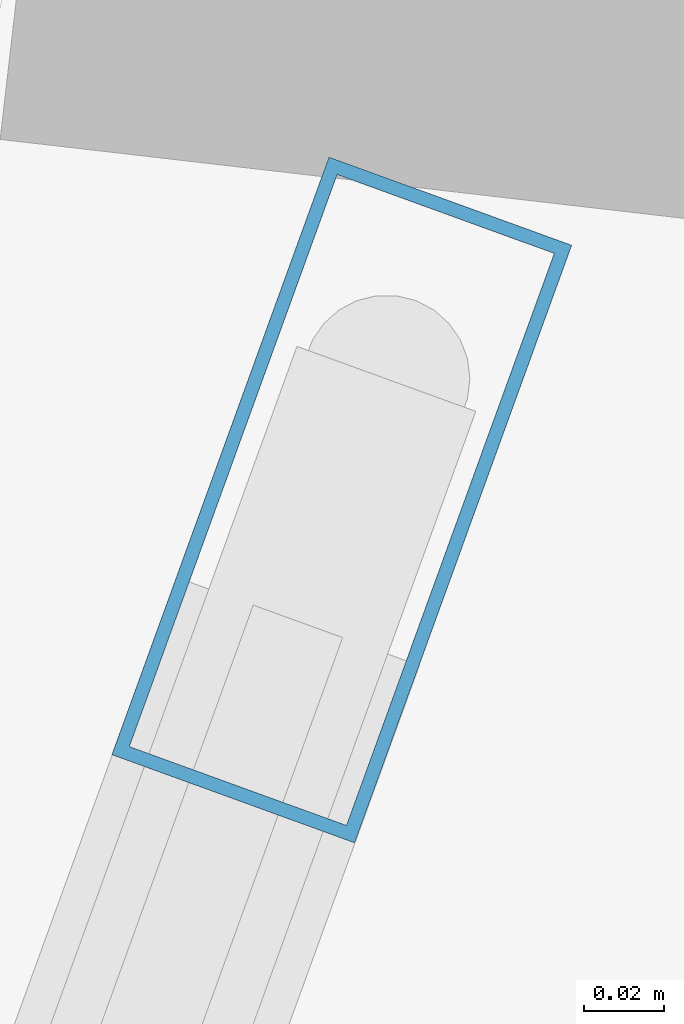
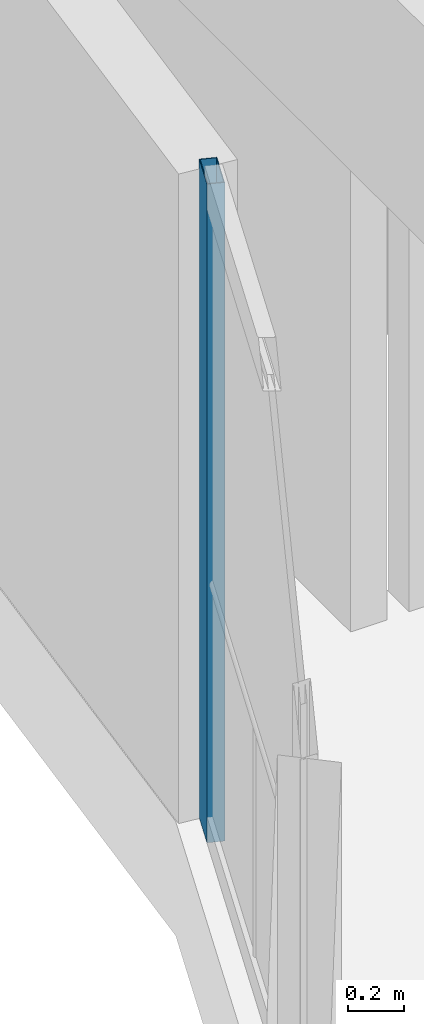
# One storey, part 5 of 20: 1 member, 1 element without a shape of its own.
"""IFC4 building model written with IfcOpenShell, lengths in metres."""

from ifc_helpers import new_model, si_unit, direction, frame, origin, origin_2d, place, context, subcontext, project, spatial, hollow_rectangle, extrude, material, layer, layer_set, material_profile, profile_set, type_object, element, aggregate, save


model = new_model("IFC4")

# Units and contexts
model_context = context("Model", 3, precision=1e-05, world=origin(), true_north=direction((0.0, 1.0)))
body_context = subcontext(model_context, "Body", "Model", "MODEL_VIEW")
ifc_project = project(units=[si_unit("LENGTHUNIT", "METRE"), si_unit("AREAUNIT", "SQUARE_METRE"), si_unit("VOLUMEUNIT", "CUBIC_METRE"), si_unit("PLANEANGLEUNIT", "RADIAN"), si_unit("MASSUNIT", "GRAM", prefix="KILO")], contexts=[model_context])

# Site, building, storey
site_placement = place(None, origin())
site = spatial("IfcSite", under=ifc_project, at=site_placement, CompositionType="ELEMENT")
building_placement = place(site_placement, origin())
building = spatial("IfcBuilding", under=site, at=building_placement, Name="Solvane Sanctuary Tower", CompositionType="ELEMENT")
storey_placement = place(building_placement, frame((0.0, 0.0, 137.39990234375)))
storey = spatial("IfcBuildingStorey", under=building, at=storey_placement, Name="L41", CompositionType="ELEMENT", Elevation=137.39990234375)

# Curtain wall, member
ifc_material = material(Name="Anodised Aluminium 6063-T6", Category="aluminium")
ifc_layer = layer(ifc_material, 0.199951171875, Name="Anodised Aluminium 6063-T6")
ifc_layer_set = layer_set([ifc_layer], Name="Anodised Aluminium 6063-T6")
curtain_wall_type = type_object("IfcCurtainWallType", Name="Curtain Wall CW-WELL", PredefinedType="NOTDEFINED", material=ifc_layer_set)
curtain_wall_placement = place(storey_placement, origin())
curtain_wall = element("IfcCurtainWall", 1, at=curtain_wall_placement, inside=storey, type_object=curtain_wall_type, Name="L41 Light-Well Glazed Curtain Wall 22", PredefinedType="NOTDEFINED")
ifc_material_profile = material_profile(ifc_material, hollow_rectangle(XDim=0.06494140625, YDim=0.159912109375, WallThickness=0.00341796875, at=origin_2d()), Name="ALU160X65X3.5")
ifc_profile_set = profile_set([ifc_material_profile], Name="Anodised Aluminium 6063-T6")
member_type = type_object("IfcMemberType", Name="Member M-CW-MUL-2 ALU160X65X3.5", PredefinedType="MULLION", material=ifc_profile_set)
member_placement = place(storey_placement, frame((38.84912109375, 20.82080078125, 0.0), z_axis=(0.0, 0.0, 1.0), x_axis=(-0.939933181429, 0.341358483781, 0.0)))
member = element("IfcMember", 2, at=member_placement, type_object=member_type, Name="CW-WELL mullion 2", PredefinedType="MULLION", context=body_context, shape_type="SweptSolid", body=[
    extrude(hollow_rectangle(XDim=0.06494140625, YDim=0.159912109375, WallThickness=0.00341796875, at=origin_2d()), origin(), (0.0, 0.0, 1.0), 2.880126953125),
])
aggregate(curtain_wall, [member])

save(model, "model.ifc")
